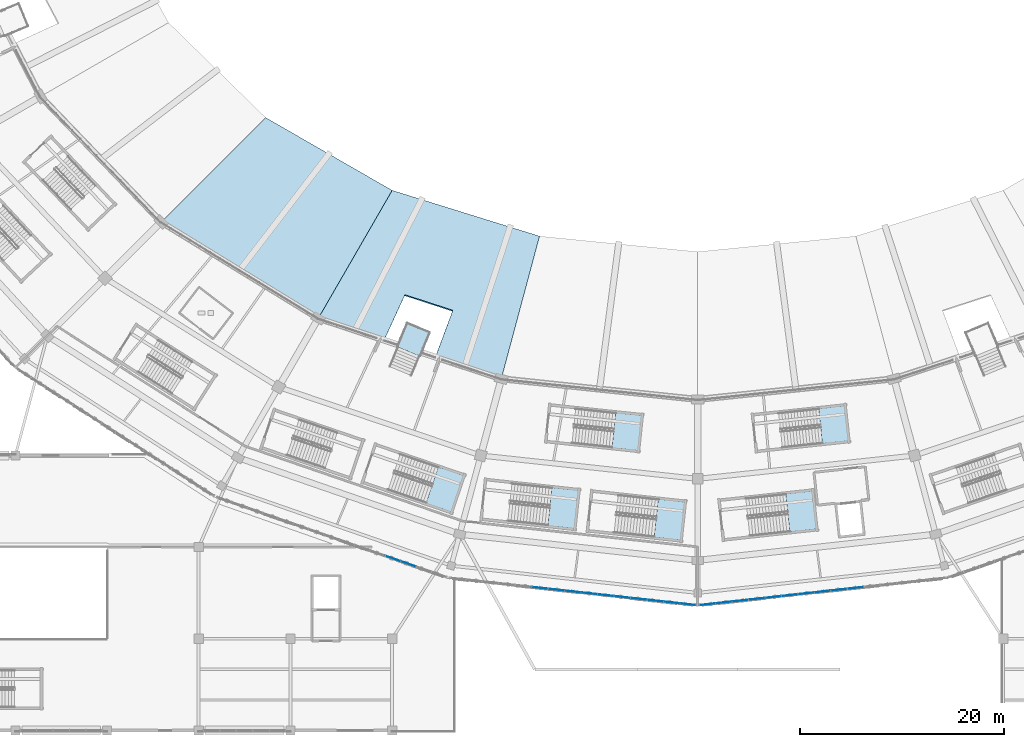
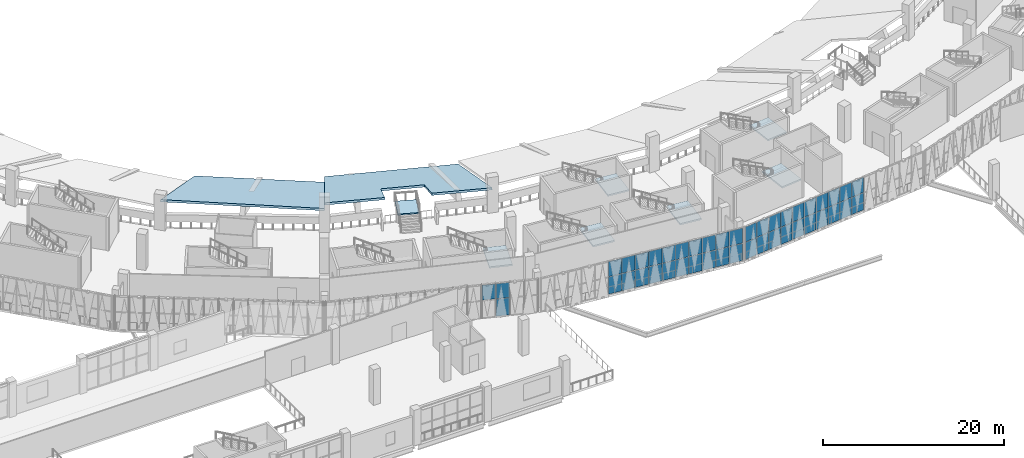
# One storey, part 75 of 183: 43 plates, 9 slabs, 10 elements without a shape of their own.
"""IFC4 building model written with IfcOpenShell, lengths in metres."""

import ifcopenshell
import ifcopenshell.guid

model = None  # the IFC model being written
_history = None  # IfcOwnerHistory: only IFC2X3 demands one
_inside = {}  # id of a spatial element -> (the spatial element, [elements in it])
_under = {}  # id of a project, library or spatial element -> (it, [spatial elements below it])
_declared = {}  # id of a project -> (the project, [libraries it declares])
_typed = {}  # id of a type object -> (the type object, [elements of that type])
_made_of = {}  # id of a material, layer set ... -> (it, [elements and type objects made of it])


def new_model(schema):
    """Start an empty IFC model of exactly this schema.

    Asked for "IFC4X3", IfcOpenShell would pick the latest addendum, in which some entities
    have other attributes; the version numbers below select the first issue.
    IFC2X3 requires an IfcOwnerHistory on every rooted entity: one is made here for all.
    """
    global model, _history
    if schema == "IFC4X3":
        model = ifcopenshell.file(schema_version=(4, 3, 0, 0))
    else:
        model = ifcopenshell.file(schema=schema)
    _inside.clear()
    _under.clear()
    _declared.clear()
    _typed.clear()
    _made_of.clear()
    _history = None
    if model.schema == "IFC2X3":
        org = make("IfcOrganization", Name="unknown")
        user = make(
            "IfcPersonAndOrganization",
            ThePerson=make("IfcPerson", FamilyName="unknown"),
            TheOrganization=org,
        )
        app = make(
            "IfcApplication",
            ApplicationDeveloper=org,
            Version="unknown",
            ApplicationFullName="unknown",
            ApplicationIdentifier="unknown",
        )
        _history = make(
            "IfcOwnerHistory",
            OwningUser=user,
            OwningApplication=app,
            ChangeAction="ADDED",
            CreationDate=0,
        )
    return model


def make(cls, **values):
    """One entity of the class cls with the attributes given. An attribute that is None is left unset."""
    return model.create_entity(
        cls, **{name: value for name, value in values.items() if value is not None}
    )


def rooted(cls, **values):
    """An entity with a GlobalId (a new one), such as an element, a storey or a relation."""
    return make(cls, GlobalId=ifcopenshell.guid.new(), OwnerHistory=_history, **values)


def si_unit(unit_type, name, prefix=None):
    """IfcSIUnit, for example si_unit("LENGTHUNIT", "METRE", prefix="MILLI")."""
    return make("IfcSIUnit", UnitType=unit_type, Prefix=prefix, Name=name)


def assignment(units):
    """IfcUnitAssignment: the units of a project."""
    return None if units is None else make("IfcUnitAssignment", Units=units)


def point(xyz):
    """IfcCartesianPoint."""
    return None if xyz is None else make("IfcCartesianPoint", Coordinates=xyz)


def direction(xyz):
    """IfcDirection."""
    return None if xyz is None else make("IfcDirection", DirectionRatios=xyz)


def frame(location, z_axis=None, x_axis=None):
    """IfcAxis2Placement3D, a coordinate frame: its origin and axes. An axis left out is left unset."""
    return make(
        "IfcAxis2Placement3D",
        Location=point(location),
        Axis=direction(z_axis),
        RefDirection=direction(x_axis),
    )


def frame_2d(location, x_axis=None):
    """IfcAxis2Placement2D, a coordinate frame in the plane: its origin and x axis."""
    return make(
        "IfcAxis2Placement2D", Location=point(location), RefDirection=direction(x_axis)
    )


def origin():
    """The frame at (0, 0, 0) with its axes left unset."""
    return frame((0.0, 0.0, 0.0))


def origin_2d():
    """The frame at (0, 0) in the plane with its x axis left unset."""
    return frame_2d((0.0, 0.0))


def place(relative_to, where):
    """IfcLocalPlacement: puts the frame where relative to a parent placement (None: the world)."""
    return make(
        "IfcLocalPlacement", PlacementRelTo=relative_to, RelativePlacement=where
    )


def context(
    kind, dimensions, precision=None, world=None, true_north=None, identifier=None
):
    """IfcGeometricRepresentationContext, for example the 3D "Model" context."""
    return make(
        "IfcGeometricRepresentationContext",
        ContextIdentifier=identifier,
        ContextType=kind,
        CoordinateSpaceDimension=dimensions,
        Precision=precision,
        WorldCoordinateSystem=world,
        TrueNorth=true_north,
    )


def subcontext(parent, identifier, kind, view, scale=None):
    """IfcGeometricRepresentationSubContext, for example "Body" below "Model"."""
    return make(
        "IfcGeometricRepresentationSubContext",
        ContextIdentifier=identifier,
        ContextType=kind,
        ParentContext=parent,
        TargetScale=scale,
        TargetView=view,
    )


def project(units=None, contexts=None):
    """IfcProject with its units and contexts."""
    return rooted(
        "IfcProject",
        Name="project",
        RepresentationContexts=contexts,
        UnitsInContext=assignment(units),
    )


def spatial(cls, under=None, at=None, **own):
    """A site, building, storey or space (cls), placed at a placement, below another one or the project."""
    s = rooted(cls, ObjectPlacement=at, **own)
    if under is not None:
        _under.setdefault(under.id(), (under, []))[1].append(s)
    return s


def polyline(points):
    """IfcPolyline through the points."""
    return make("IfcPolyline", Points=[point(p) for p in points])


def profile(cls, at=None, kind="AREA", **sizes):
    """A parametric profile (cls). Its sizes go by their IFC names, for example OverallWidth=200.0."""
    return make(cls, ProfileType=kind, Position=at, **sizes)


def rectangle(**sizes):
    """IfcRectangleProfileDef."""
    return profile("IfcRectangleProfileDef", **sizes)


def outline(outer, holes=None, kind="AREA"):
    """IfcArbitraryClosedProfileDef: a profile drawn as a closed curve; with holes, ...WithVoids."""
    if holes is None:
        return make("IfcArbitraryClosedProfileDef", ProfileType=kind, OuterCurve=outer)
    return make(
        "IfcArbitraryProfileDefWithVoids",
        ProfileType=kind,
        OuterCurve=outer,
        InnerCurves=holes,
    )


def extrude(swept, where, along, depth):
    """IfcExtrudedAreaSolid: the profile swept, set in the frame where, extruded along a direction by depth."""
    return make(
        "IfcExtrudedAreaSolid",
        SweptArea=swept,
        Position=where,
        ExtrudedDirection=direction(along),
        Depth=depth,
    )


def shape(context_of_items, identifier, shape_type, items):
    """IfcShapeRepresentation: the items that make up one representation, for example the "Body"."""
    return make(
        "IfcShapeRepresentation",
        ContextOfItems=context_of_items,
        RepresentationIdentifier=identifier,
        RepresentationType=shape_type,
        Items=items,
    )


def material(Name=None, Category=None):
    """IfcMaterial."""
    return make("IfcMaterial", Name=Name, Category=Category)


def layer(
    of_material, thickness, ventilated=None, Name=None, Category=None, Priority=None
):
    """IfcMaterialLayer: one layer of a wall or slab, of a material (None: an air gap)."""
    return make(
        "IfcMaterialLayer",
        Material=of_material,
        LayerThickness=thickness,
        IsVentilated=ventilated,
        Name=Name,
        Category=Category,
        Priority=Priority,
    )


def layer_set(layers, Name=None):
    """IfcMaterialLayerSet."""
    return make("IfcMaterialLayerSet", MaterialLayers=layers, LayerSetName=Name)


def made_of(thing, what):
    """Note that an element or type object is made of a material, layer set ...; save() writes the relation."""
    if what is not None:
        _made_of.setdefault(what.id(), (what, []))[1].append(thing)
    return thing


def type_object(cls, material=None, **own):
    """A type object (cls), such as IfcWallType, which elements share."""
    return made_of(rooted(cls, **own), material)


def element(
    cls,
    number,
    at=None,
    inside=None,
    cuts=None,
    type_object=None,
    material=None,
    context=None,
    identifier="Body",
    shape_type=None,
    held_by="IfcProductDefinitionShape",
    body=None,
    shapes=None,
    **own,
):
    """One element of the class cls, such as IfcWall. Its Tag is "e" and its number.

    at: its placement. inside: the storey or other place that contains it. cuts: it is an
    opening in that element (IfcRelVoidsElement). A single representation is given by context,
    identifier, shape_type and body (its items); several are given by shapes. held_by: the class
    of the entity that holds the representations. save() writes the other relations.
    """
    e = rooted(cls, Tag="e%d" % number, ObjectPlacement=at, **own)
    if body is not None:
        shapes = [shape(context, identifier, shape_type, body)]
    if shapes is not None:
        e.Representation = make(held_by, Representations=shapes)
    if inside is not None:
        _inside.setdefault(inside.id(), (inside, []))[1].append(e)
    if cuts is not None:
        rooted(
            "IfcRelVoidsElement", RelatingBuildingElement=cuts, RelatedOpeningElement=e
        )
    if type_object is not None:
        _typed.setdefault(type_object.id(), (type_object, []))[1].append(e)
    return made_of(e, material)


def aggregate(whole, parts):
    """IfcRelAggregates: a whole, such as a stair, and the parts it consists of."""
    return rooted("IfcRelAggregates", RelatingObject=whole, RelatedObjects=parts)


def save(model, path):
    """Write the relations noted so far, then the file.

    IfcRelAggregates (storeys below a building ...), IfcRelContainedInSpatialStructure (elements
    in a storey), IfcRelDefinesByType, IfcRelAssociatesMaterial and IfcRelDeclares: one each for
    every whole, place, type object, material and project.
    """
    for whole, parts in _under.values():
        aggregate(whole, parts)
    for where, things in _inside.values():
        rooted(
            "IfcRelContainedInSpatialStructure",
            RelatedElements=things,
            RelatingStructure=where,
        )
    for kind, things in _typed.values():
        rooted("IfcRelDefinesByType", RelatedObjects=things, RelatingType=kind)
    for what, things in _made_of.values():
        rooted("IfcRelAssociatesMaterial", RelatedObjects=things, RelatingMaterial=what)
    for by, libraries in _declared.values():
        rooted("IfcRelDeclares", RelatingContext=by, RelatedDefinitions=libraries)
    model.write(path)


model = new_model("IFC4")

# Units and contexts
model_context = context("Model", 3, precision=1e-05, world=origin(), true_north=direction((0.0, 1.0)))
body_context = subcontext(model_context, "Body", "Model", "MODEL_VIEW")
ifc_project = project(units=[si_unit("LENGTHUNIT", "METRE"), si_unit("AREAUNIT", "SQUARE_METRE"), si_unit("VOLUMEUNIT", "CUBIC_METRE"), si_unit("PLANEANGLEUNIT", "RADIAN"), si_unit("MASSUNIT", "GRAM", prefix="KILO")], contexts=[model_context])

# Site, building, storey
site_placement = place(None, origin())
site = spatial("IfcSite", under=ifc_project, at=site_placement, CompositionType="ELEMENT")
building_placement = place(site_placement, origin())
building = spatial("IfcBuilding", under=site, at=building_placement, Name="Zevraka Park Crest Stadium", CompositionType="ELEMENT")
storey_placement = place(building_placement, frame((0.0, 0.0, 5.39990234375)))
storey = spatial("IfcBuildingStorey", under=building, at=storey_placement, Name="L01", CompositionType="ELEMENT", Elevation=5.39990234375)

# Curtain wall, plates
ifc_material_1 = material(Name="Anodised architectural aluminium and laminated safety glass", Category="aluminium")
curtain_wall_type_1 = type_object("IfcCurtainWallType", Name="CW01", PredefinedType="NOTDEFINED", material=ifc_material_1)
curtain_wall_1_placement = place(storey_placement, origin())
curtain_wall_1 = element("IfcCurtainWall", 1, at=curtain_wall_1_placement, inside=storey, type_object=curtain_wall_type_1, Name="Unitised Ring Curtain Wall CW01 L01-17", PredefinedType="NOTDEFINED")
ifc_material_2 = material(Name="Solar-control laminated double glazing", Category="glass")
ifc_layer_1 = layer(ifc_material_2, 0.028076171875)
ifc_layer_set_1 = layer_set([ifc_layer_1], Name="Solar-control laminated double glazing")
plate_type_1 = type_object("IfcPlateType", Name="CP01", PredefinedType="CURTAIN_PANEL", material=ifc_layer_set_1)
plate_1_placement = place(storey_placement, frame((96.506591796875, 13.997314453125, 0.06005859375), z_axis=(0.0, 0.0, 1.0), x_axis=(0.993916668414, -0.110134718639, 0.0)))
plate_1 = element("IfcPlate", 2, at=plate_1_placement, type_object=plate_type_1, Name="CW01 panel 6.1", PredefinedType="CURTAIN_PANEL", context=body_context, shape_type="SweptSolid", body=[
    extrude(rectangle(XDim=1.567138671875, YDim=0.028076171875, at=origin_2d()), origin(), (0.0, 0.0, 1.0), 2.31005859375),
])
plate_2_placement = place(storey_placement, frame((96.506591796875, 13.997314453125, 2.43017578125), z_axis=(0.0, 0.0, 1.0), x_axis=(0.993916668414, -0.110134718639, 0.0)))
plate_2 = element("IfcPlate", 3, at=plate_2_placement, type_object=plate_type_1, Name="CW01 panel 6.2", PredefinedType="CURTAIN_PANEL", context=body_context, shape_type="SweptSolid", body=[
    extrude(rectangle(XDim=1.567138671875, YDim=0.028076171875, at=origin_2d()), origin(), (0.0, 0.0, 1.0), 2.030029296875),
])
plate_3_placement = place(storey_placement, frame((98.123779296875, 13.818115234375, 0.06005859375), z_axis=(0.0, 0.0, 1.0), x_axis=(0.993916668414, -0.110134718639, 0.0)))
plate_3 = element("IfcPlate", 4, at=plate_3_placement, type_object=plate_type_1, Name="CW01 panel 7.1", PredefinedType="CURTAIN_PANEL", context=body_context, shape_type="SweptSolid", body=[
    extrude(rectangle(XDim=1.567138671875, YDim=0.028076171875, at=origin_2d()), origin(), (0.0, 0.0, 1.0), 2.31005859375),
])
plate_4_placement = place(storey_placement, frame((98.123779296875, 13.818115234375, 2.43017578125), z_axis=(0.0, 0.0, 1.0), x_axis=(0.993916668414, -0.110134718639, 0.0)))
plate_4 = element("IfcPlate", 5, at=plate_4_placement, type_object=plate_type_1, Name="CW01 panel 7.2", PredefinedType="CURTAIN_PANEL", context=body_context, shape_type="SweptSolid", body=[
    extrude(rectangle(XDim=1.567138671875, YDim=0.028076171875, at=origin_2d()), origin(), (0.0, 0.0, 1.0), 2.030029296875),
])
plate_5_placement = place(storey_placement, frame((99.740966796875, 13.638916015625, 0.06005859375), z_axis=(0.0, 0.0, 1.0), x_axis=(0.993916668414, -0.110134718639, 0.0)))
plate_5 = element("IfcPlate", 6, at=plate_5_placement, type_object=plate_type_1, Name="CW01 panel 8.1", PredefinedType="CURTAIN_PANEL", context=body_context, shape_type="SweptSolid", body=[
    extrude(rectangle(XDim=1.567138671875, YDim=0.028076171875, at=origin_2d()), origin(), (0.0, 0.0, 1.0), 2.31005859375),
])
plate_6_placement = place(storey_placement, frame((99.740966796875, 13.638916015625, 2.43017578125), z_axis=(0.0, 0.0, 1.0), x_axis=(0.993916668414, -0.110134718639, 0.0)))
plate_6 = element("IfcPlate", 7, at=plate_6_placement, type_object=plate_type_1, Name="CW01 panel 8.2", PredefinedType="CURTAIN_PANEL", context=body_context, shape_type="SweptSolid", body=[
    extrude(rectangle(XDim=1.567138671875, YDim=0.028076171875, at=origin_2d()), origin(), (0.0, 0.0, 1.0), 2.030029296875),
])
plate_7_placement = place(storey_placement, frame((101.358154296875, 13.459716796875, 0.06005859375), z_axis=(0.0, 0.0, 1.0), x_axis=(0.993916668414, -0.110134718639, 0.0)))
plate_7 = element("IfcPlate", 8, at=plate_7_placement, type_object=plate_type_1, Name="CW01 panel 9.1", PredefinedType="CURTAIN_PANEL", context=body_context, shape_type="SweptSolid", body=[
    extrude(rectangle(XDim=1.567138671875, YDim=0.028076171875, at=origin_2d()), origin(), (0.0, 0.0, 1.0), 2.31005859375),
])
plate_8_placement = place(storey_placement, frame((101.358154296875, 13.459716796875, 2.43017578125), z_axis=(0.0, 0.0, 1.0), x_axis=(0.993916668414, -0.110134718639, 0.0)))
plate_8 = element("IfcPlate", 9, at=plate_8_placement, type_object=plate_type_1, Name="CW01 panel 9.2", PredefinedType="CURTAIN_PANEL", context=body_context, shape_type="SweptSolid", body=[
    extrude(rectangle(XDim=1.567138671875, YDim=0.028076171875, at=origin_2d()), origin(), (0.0, 0.0, 1.0), 2.030029296875),
])
plate_9_placement = place(storey_placement, frame((102.975341796875, 13.280517578125, 0.06005859375), z_axis=(0.0, 0.0, 1.0), x_axis=(0.993916668414, -0.110134718639, 0.0)))
plate_9 = element("IfcPlate", 10, at=plate_9_placement, type_object=plate_type_1, Name="CW01 panel 10.1", PredefinedType="CURTAIN_PANEL", context=body_context, shape_type="SweptSolid", body=[
    extrude(rectangle(XDim=1.567138671875, YDim=0.028076171875, at=origin_2d()), origin(), (0.0, 0.0, 1.0), 2.31005859375),
])
plate_10_placement = place(storey_placement, frame((102.975341796875, 13.280517578125, 2.43017578125), z_axis=(0.0, 0.0, 1.0), x_axis=(0.993916668414, -0.110134718639, 0.0)))
plate_10 = element("IfcPlate", 11, at=plate_10_placement, type_object=plate_type_1, Name="CW01 panel 10.2", PredefinedType="CURTAIN_PANEL", context=body_context, shape_type="SweptSolid", body=[
    extrude(rectangle(XDim=1.567138671875, YDim=0.028076171875, at=origin_2d()), origin(), (0.0, 0.0, 1.0), 2.030029296875),
])
plate_11_placement = place(storey_placement, frame((104.592529296875, 13.101318359375, 0.06005859375), z_axis=(0.0, 0.0, 1.0), x_axis=(0.993916668414, -0.110134718639, 0.0)))
plate_11 = element("IfcPlate", 12, at=plate_11_placement, type_object=plate_type_1, Name="CW01 panel 11.1", PredefinedType="CURTAIN_PANEL", context=body_context, shape_type="SweptSolid", body=[
    extrude(rectangle(XDim=1.567138671875, YDim=0.028076171875, at=origin_2d()), origin(), (0.0, 0.0, 1.0), 2.31005859375),
])
plate_12_placement = place(storey_placement, frame((104.592529296875, 13.101318359375, 2.43017578125), z_axis=(0.0, 0.0, 1.0), x_axis=(0.993916668414, -0.110134718639, 0.0)))
plate_12 = element("IfcPlate", 13, at=plate_12_placement, type_object=plate_type_1, Name="CW01 panel 11.2", PredefinedType="CURTAIN_PANEL", context=body_context, shape_type="SweptSolid", body=[
    extrude(rectangle(XDim=1.567138671875, YDim=0.028076171875, at=origin_2d()), origin(), (0.0, 0.0, 1.0), 2.030029296875),
])
plate_13_placement = place(storey_placement, frame((106.209716796875, 12.922119140625, 0.06005859375), z_axis=(0.0, 0.0, 1.0), x_axis=(0.993916668414, -0.110134718639, 0.0)))
plate_13 = element("IfcPlate", 14, at=plate_13_placement, type_object=plate_type_1, Name="CW01 panel 12.1", PredefinedType="CURTAIN_PANEL", context=body_context, shape_type="SweptSolid", body=[
    extrude(rectangle(XDim=1.567138671875, YDim=0.028076171875, at=origin_2d()), origin(), (0.0, 0.0, 1.0), 2.31005859375),
])
plate_14_placement = place(storey_placement, frame((106.209716796875, 12.922119140625, 2.43017578125), z_axis=(0.0, 0.0, 1.0), x_axis=(0.993916668414, -0.110134718639, 0.0)))
plate_14 = element("IfcPlate", 15, at=plate_14_placement, type_object=plate_type_1, Name="CW01 panel 12.2", PredefinedType="CURTAIN_PANEL", context=body_context, shape_type="SweptSolid", body=[
    extrude(rectangle(XDim=1.567138671875, YDim=0.028076171875, at=origin_2d()), origin(), (0.0, 0.0, 1.0), 2.030029296875),
])
plate_15_placement = place(storey_placement, frame((107.826904296875, 12.742919921875, 0.06005859375), z_axis=(0.0, 0.0, 1.0), x_axis=(0.993916668414, -0.110134718639, 0.0)))
plate_15 = element("IfcPlate", 16, at=plate_15_placement, type_object=plate_type_1, Name="CW01 panel 13.1", PredefinedType="CURTAIN_PANEL", context=body_context, shape_type="SweptSolid", body=[
    extrude(rectangle(XDim=1.567138671875, YDim=0.028076171875, at=origin_2d()), origin(), (0.0, 0.0, 1.0), 2.31005859375),
])
plate_16_placement = place(storey_placement, frame((107.826904296875, 12.742919921875, 2.43017578125), z_axis=(0.0, 0.0, 1.0), x_axis=(0.993916668414, -0.110134718639, 0.0)))
plate_16 = element("IfcPlate", 17, at=plate_16_placement, type_object=plate_type_1, Name="CW01 panel 13.2", PredefinedType="CURTAIN_PANEL", context=body_context, shape_type="SweptSolid", body=[
    extrude(rectangle(XDim=1.567138671875, YDim=0.028076171875, at=origin_2d()), origin(), (0.0, 0.0, 1.0), 2.030029296875),
])
plate_17_placement = place(storey_placement, frame((109.444091796875, 12.563720703125, 0.06005859375), z_axis=(0.0, 0.0, 1.0), x_axis=(0.993916668414, -0.110134718639, 0.0)))
plate_17 = element("IfcPlate", 18, at=plate_17_placement, type_object=plate_type_1, Name="CW01 panel 14.1", PredefinedType="CURTAIN_PANEL", context=body_context, shape_type="SweptSolid", body=[
    extrude(rectangle(XDim=1.567138671875, YDim=0.028076171875, at=origin_2d()), origin(), (0.0, 0.0, 1.0), 2.31005859375),
])
plate_18_placement = place(storey_placement, frame((109.444091796875, 12.563720703125, 2.43017578125), z_axis=(0.0, 0.0, 1.0), x_axis=(0.993916668414, -0.110134718639, 0.0)))
plate_18 = element("IfcPlate", 19, at=plate_18_placement, type_object=plate_type_1, Name="CW01 panel 14.2", PredefinedType="CURTAIN_PANEL", context=body_context, shape_type="SweptSolid", body=[
    extrude(rectangle(XDim=1.567138671875, YDim=0.028076171875, at=origin_2d()), origin(), (0.0, 0.0, 1.0), 2.030029296875),
])
plate_19_placement = place(storey_placement, frame((111.04638671875, 12.38623046875, 0.06005859375), z_axis=(0.0, 0.0, 1.0), x_axis=(0.993916668414, -0.110134718639, 0.0)))
plate_19 = element("IfcPlate", 20, at=plate_19_placement, type_object=plate_type_1, Name="CW01 panel 15.1", PredefinedType="CURTAIN_PANEL", context=body_context, shape_type="SweptSolid", body=[
    extrude(rectangle(XDim=1.537109375, YDim=0.028076171875, at=origin_2d()), origin(), (0.0, 0.0, 1.0), 2.31005859375),
])
plate_20_placement = place(storey_placement, frame((111.04638671875, 12.38623046875, 2.43017578125), z_axis=(0.0, 0.0, 1.0), x_axis=(0.993916668414, -0.110134718639, 0.0)))
plate_20 = element("IfcPlate", 21, at=plate_20_placement, type_object=plate_type_1, Name="CW01 panel 15.2", PredefinedType="CURTAIN_PANEL", context=body_context, shape_type="SweptSolid", body=[
    extrude(rectangle(XDim=1.537109375, YDim=0.028076171875, at=origin_2d()), origin(), (0.0, 0.0, 1.0), 2.030029296875),
])
aggregate(curtain_wall_1, [plate_1, plate_2, plate_3, plate_4, plate_5, plate_6, plate_7, plate_8, plate_9, plate_10, plate_11, plate_12, plate_13, plate_14, plate_15, plate_16, plate_17, plate_18, plate_19, plate_20])

curtain_wall_2_placement = place(storey_placement, origin())
curtain_wall_2 = element("IfcCurtainWall", 22, at=curtain_wall_2_placement, inside=storey, type_object=curtain_wall_type_1, Name="Unitised Ring Curtain Wall CW01 L01-18", PredefinedType="NOTDEFINED")
plate_21_placement = place(storey_placement, frame((112.95361328125, 12.38623046875, 0.06005859375), z_axis=(0.0, 0.0, 1.0), x_axis=(0.993916668414, 0.110134718639, 0.0)))
plate_21 = element("IfcPlate", 23, at=plate_21_placement, type_object=plate_type_1, Name="CW01 panel 1.1", PredefinedType="CURTAIN_PANEL", context=body_context, shape_type="SweptSolid", body=[
    extrude(rectangle(XDim=1.537109375, YDim=0.028076171875, at=origin_2d()), origin(), (0.0, 0.0, 1.0), 2.31005859375),
])
plate_22_placement = place(storey_placement, frame((112.95361328125, 12.38623046875, 2.43017578125), z_axis=(0.0, 0.0, 1.0), x_axis=(0.993916668414, 0.110134718639, 0.0)))
plate_22 = element("IfcPlate", 24, at=plate_22_placement, type_object=plate_type_1, Name="CW01 panel 1.2", PredefinedType="CURTAIN_PANEL", context=body_context, shape_type="SweptSolid", body=[
    extrude(rectangle(XDim=1.537109375, YDim=0.028076171875, at=origin_2d()), origin(), (0.0, 0.0, 1.0), 2.030029296875),
])
plate_23_placement = place(storey_placement, frame((114.555908203125, 12.563720703125, 0.06005859375), z_axis=(0.0, 0.0, 1.0), x_axis=(0.993916668414, 0.110134718639, 0.0)))
plate_23 = element("IfcPlate", 25, at=plate_23_placement, type_object=plate_type_1, Name="CW01 panel 2.1", PredefinedType="CURTAIN_PANEL", context=body_context, shape_type="SweptSolid", body=[
    extrude(rectangle(XDim=1.567138671875, YDim=0.028076171875, at=origin_2d()), origin(), (0.0, 0.0, 1.0), 2.31005859375),
])
plate_24_placement = place(storey_placement, frame((114.555908203125, 12.563720703125, 2.43017578125), z_axis=(0.0, 0.0, 1.0), x_axis=(0.993916668414, 0.110134718639, 0.0)))
plate_24 = element("IfcPlate", 26, at=plate_24_placement, type_object=plate_type_1, Name="CW01 panel 2.2", PredefinedType="CURTAIN_PANEL", context=body_context, shape_type="SweptSolid", body=[
    extrude(rectangle(XDim=1.567138671875, YDim=0.028076171875, at=origin_2d()), origin(), (0.0, 0.0, 1.0), 2.030029296875),
])
plate_25_placement = place(storey_placement, frame((116.173095703125, 12.742919921875, 0.06005859375), z_axis=(0.0, 0.0, 1.0), x_axis=(0.993916668414, 0.110134718639, 0.0)))
plate_25 = element("IfcPlate", 27, at=plate_25_placement, type_object=plate_type_1, Name="CW01 panel 3.1", PredefinedType="CURTAIN_PANEL", context=body_context, shape_type="SweptSolid", body=[
    extrude(rectangle(XDim=1.567138671875, YDim=0.028076171875, at=origin_2d()), origin(), (0.0, 0.0, 1.0), 2.31005859375),
])
plate_26_placement = place(storey_placement, frame((116.173095703125, 12.742919921875, 2.43017578125), z_axis=(0.0, 0.0, 1.0), x_axis=(0.993916668414, 0.110134718639, 0.0)))
plate_26 = element("IfcPlate", 28, at=plate_26_placement, type_object=plate_type_1, Name="CW01 panel 3.2", PredefinedType="CURTAIN_PANEL", context=body_context, shape_type="SweptSolid", body=[
    extrude(rectangle(XDim=1.567138671875, YDim=0.028076171875, at=origin_2d()), origin(), (0.0, 0.0, 1.0), 2.030029296875),
])
plate_27_placement = place(storey_placement, frame((117.790283203125, 12.922119140625, 0.06005859375), z_axis=(0.0, 0.0, 1.0), x_axis=(0.993916668414, 0.110134718639, 0.0)))
plate_27 = element("IfcPlate", 29, at=plate_27_placement, type_object=plate_type_1, Name="CW01 panel 4.1", PredefinedType="CURTAIN_PANEL", context=body_context, shape_type="SweptSolid", body=[
    extrude(rectangle(XDim=1.567138671875, YDim=0.028076171875, at=origin_2d()), origin(), (0.0, 0.0, 1.0), 2.31005859375),
])
plate_28_placement = place(storey_placement, frame((117.790283203125, 12.922119140625, 2.43017578125), z_axis=(0.0, 0.0, 1.0), x_axis=(0.993916668414, 0.110134718639, 0.0)))
plate_28 = element("IfcPlate", 30, at=plate_28_placement, type_object=plate_type_1, Name="CW01 panel 4.2", PredefinedType="CURTAIN_PANEL", context=body_context, shape_type="SweptSolid", body=[
    extrude(rectangle(XDim=1.567138671875, YDim=0.028076171875, at=origin_2d()), origin(), (0.0, 0.0, 1.0), 2.030029296875),
])
plate_29_placement = place(storey_placement, frame((119.407470703125, 13.101318359375, 0.06005859375), z_axis=(0.0, 0.0, 1.0), x_axis=(0.993916668414, 0.110134718639, 0.0)))
plate_29 = element("IfcPlate", 31, at=plate_29_placement, type_object=plate_type_1, Name="CW01 panel 5.1", PredefinedType="CURTAIN_PANEL", context=body_context, shape_type="SweptSolid", body=[
    extrude(rectangle(XDim=1.567138671875, YDim=0.028076171875, at=origin_2d()), origin(), (0.0, 0.0, 1.0), 2.31005859375),
])
plate_30_placement = place(storey_placement, frame((119.407470703125, 13.101318359375, 2.43017578125), z_axis=(0.0, 0.0, 1.0), x_axis=(0.993916668414, 0.110134718639, 0.0)))
plate_30 = element("IfcPlate", 32, at=plate_30_placement, type_object=plate_type_1, Name="CW01 panel 5.2", PredefinedType="CURTAIN_PANEL", context=body_context, shape_type="SweptSolid", body=[
    extrude(rectangle(XDim=1.567138671875, YDim=0.028076171875, at=origin_2d()), origin(), (0.0, 0.0, 1.0), 2.030029296875),
])
plate_31_placement = place(storey_placement, frame((121.024658203125, 13.280517578125, 0.06005859375), z_axis=(0.0, 0.0, 1.0), x_axis=(0.993916668414, 0.110134718639, 0.0)))
plate_31 = element("IfcPlate", 33, at=plate_31_placement, type_object=plate_type_1, Name="CW01 panel 6.1", PredefinedType="CURTAIN_PANEL", context=body_context, shape_type="SweptSolid", body=[
    extrude(rectangle(XDim=1.567138671875, YDim=0.028076171875, at=origin_2d()), origin(), (0.0, 0.0, 1.0), 2.31005859375),
])
plate_32_placement = place(storey_placement, frame((121.024658203125, 13.280517578125, 2.43017578125), z_axis=(0.0, 0.0, 1.0), x_axis=(0.993916668414, 0.110134718639, 0.0)))
plate_32 = element("IfcPlate", 34, at=plate_32_placement, type_object=plate_type_1, Name="CW01 panel 6.2", PredefinedType="CURTAIN_PANEL", context=body_context, shape_type="SweptSolid", body=[
    extrude(rectangle(XDim=1.567138671875, YDim=0.028076171875, at=origin_2d()), origin(), (0.0, 0.0, 1.0), 2.030029296875),
])
plate_33_placement = place(storey_placement, frame((122.641845703125, 13.459716796875, 0.06005859375), z_axis=(0.0, 0.0, 1.0), x_axis=(0.993916668414, 0.110134718639, 0.0)))
plate_33 = element("IfcPlate", 35, at=plate_33_placement, type_object=plate_type_1, Name="CW01 panel 7.1", PredefinedType="CURTAIN_PANEL", context=body_context, shape_type="SweptSolid", body=[
    extrude(rectangle(XDim=1.567138671875, YDim=0.028076171875, at=origin_2d()), origin(), (0.0, 0.0, 1.0), 2.31005859375),
])
plate_34_placement = place(storey_placement, frame((122.641845703125, 13.459716796875, 2.43017578125), z_axis=(0.0, 0.0, 1.0), x_axis=(0.993916668414, 0.110134718639, 0.0)))
plate_34 = element("IfcPlate", 36, at=plate_34_placement, type_object=plate_type_1, Name="CW01 panel 7.2", PredefinedType="CURTAIN_PANEL", context=body_context, shape_type="SweptSolid", body=[
    extrude(rectangle(XDim=1.567138671875, YDim=0.028076171875, at=origin_2d()), origin(), (0.0, 0.0, 1.0), 2.030029296875),
])
plate_35_placement = place(storey_placement, frame((124.259033203125, 13.638916015625, 0.06005859375), z_axis=(0.0, 0.0, 1.0), x_axis=(0.993916668414, 0.110134718639, 0.0)))
plate_35 = element("IfcPlate", 37, at=plate_35_placement, type_object=plate_type_1, Name="CW01 panel 8.1", PredefinedType="CURTAIN_PANEL", context=body_context, shape_type="SweptSolid", body=[
    extrude(rectangle(XDim=1.567138671875, YDim=0.028076171875, at=origin_2d()), origin(), (0.0, 0.0, 1.0), 2.31005859375),
])
plate_36_placement = place(storey_placement, frame((124.259033203125, 13.638916015625, 2.43017578125), z_axis=(0.0, 0.0, 1.0), x_axis=(0.993916668414, 0.110134718639, 0.0)))
plate_36 = element("IfcPlate", 38, at=plate_36_placement, type_object=plate_type_1, Name="CW01 panel 8.2", PredefinedType="CURTAIN_PANEL", context=body_context, shape_type="SweptSolid", body=[
    extrude(rectangle(XDim=1.567138671875, YDim=0.028076171875, at=origin_2d()), origin(), (0.0, 0.0, 1.0), 2.030029296875),
])
plate_37_placement = place(storey_placement, frame((125.876220703125, 13.818115234375, 0.06005859375), z_axis=(0.0, 0.0, 1.0), x_axis=(0.993916668414, 0.110134718639, 0.0)))
plate_37 = element("IfcPlate", 39, at=plate_37_placement, type_object=plate_type_1, Name="CW01 panel 9.1", PredefinedType="CURTAIN_PANEL", context=body_context, shape_type="SweptSolid", body=[
    extrude(rectangle(XDim=1.567138671875, YDim=0.028076171875, at=origin_2d()), origin(), (0.0, 0.0, 1.0), 2.31005859375),
])
plate_38_placement = place(storey_placement, frame((125.876220703125, 13.818115234375, 2.43017578125), z_axis=(0.0, 0.0, 1.0), x_axis=(0.993916668414, 0.110134718639, 0.0)))
plate_38 = element("IfcPlate", 40, at=plate_38_placement, type_object=plate_type_1, Name="CW01 panel 9.2", PredefinedType="CURTAIN_PANEL", context=body_context, shape_type="SweptSolid", body=[
    extrude(rectangle(XDim=1.567138671875, YDim=0.028076171875, at=origin_2d()), origin(), (0.0, 0.0, 1.0), 2.030029296875),
])
plate_39_placement = place(storey_placement, frame((127.493408203125, 13.997314453125, 0.06005859375), z_axis=(0.0, 0.0, 1.0), x_axis=(0.993916668414, 0.110134718639, 0.0)))
plate_39 = element("IfcPlate", 41, at=plate_39_placement, type_object=plate_type_1, Name="CW01 panel 10.1", PredefinedType="CURTAIN_PANEL", context=body_context, shape_type="SweptSolid", body=[
    extrude(rectangle(XDim=1.567138671875, YDim=0.028076171875, at=origin_2d()), origin(), (0.0, 0.0, 1.0), 2.31005859375),
])
plate_40_placement = place(storey_placement, frame((127.493408203125, 13.997314453125, 2.43017578125), z_axis=(0.0, 0.0, 1.0), x_axis=(0.993916668414, 0.110134718639, 0.0)))
plate_40 = element("IfcPlate", 42, at=plate_40_placement, type_object=plate_type_1, Name="CW01 panel 10.2", PredefinedType="CURTAIN_PANEL", context=body_context, shape_type="SweptSolid", body=[
    extrude(rectangle(XDim=1.567138671875, YDim=0.028076171875, at=origin_2d()), origin(), (0.0, 0.0, 1.0), 2.030029296875),
])
aggregate(curtain_wall_2, [plate_21, plate_22, plate_23, plate_24, plate_25, plate_26, plate_27, plate_28, plate_29, plate_30, plate_31, plate_32, plate_33, plate_34, plate_35, plate_36, plate_37, plate_38, plate_39, plate_40])

ifc_material_3 = material(Name="Anodised architectural aluminium and laminated safety glass", Category="aluminium")
curtain_wall_type_2 = type_object("IfcCurtainWallType", Name="CW02", PredefinedType="NOTDEFINED", material=ifc_material_3)
curtain_wall_3_placement = place(storey_placement, origin())
curtain_wall_3 = element("IfcCurtainWall", 43, at=curtain_wall_3_placement, inside=storey, type_object=curtain_wall_type_2, Name="Unitised Ring Curtain Wall CW02 L01-16", PredefinedType="NOTDEFINED")
ifc_material_4 = material(Name="Solar-control laminated double glazing", Category="glass")
ifc_layer_2 = layer(ifc_material_4, 0.028076171875)
ifc_layer_set_2 = layer_set([ifc_layer_2], Name="Solar-control laminated double glazing")
plate_type_2 = type_object("IfcPlateType", Name="CP02", PredefinedType="CURTAIN_PANEL", material=ifc_layer_set_2)
plate_41_placement = place(storey_placement, frame((82.0849609375, 16.87939453125, 2.4326171875), z_axis=(0.0, 0.0, 1.0), x_axis=(0.944256979565, -0.329209289879, 0.0)))
plate_41 = element("IfcPlate", 44, at=plate_41_placement, type_object=plate_type_2, Name="CW02 panel 12.2", PredefinedType="CURTAIN_PANEL", context=body_context, shape_type="SweptSolid", body=[
    extrude(rectangle(XDim=1.530517578125, YDim=0.028076171875, at=origin_2d()), origin(), (0.0, 0.0, 1.0), 2.0224609375),
])
plate_42_placement = place(storey_placement, frame((83.591552734375, 16.354248046875, 0.06494140625), z_axis=(0.0, 0.0, 1.0), x_axis=(0.944256979565, -0.329209289879, 0.0)))
plate_42 = element("IfcPlate", 45, at=plate_42_placement, type_object=plate_type_2, Name="CW02 panel 13.1", PredefinedType="CURTAIN_PANEL", context=body_context, shape_type="SweptSolid", body=[
    extrude(rectangle(XDim=1.530517578125, YDim=0.028076171875, at=origin_2d()), origin(), (0.0, 0.0, 1.0), 2.302490234375),
])
plate_43_placement = place(storey_placement, frame((83.591552734375, 16.354248046875, 2.4326171875), z_axis=(0.0, 0.0, 1.0), x_axis=(0.944256979565, -0.329209289879, 0.0)))
plate_43 = element("IfcPlate", 46, at=plate_43_placement, type_object=plate_type_2, Name="CW02 panel 13.2", PredefinedType="CURTAIN_PANEL", context=body_context, shape_type="SweptSolid", body=[
    extrude(rectangle(XDim=1.530517578125, YDim=0.028076171875, at=origin_2d()), origin(), (0.0, 0.0, 1.0), 2.0224609375),
])
aggregate(curtain_wall_3, [plate_41, plate_42, plate_43])

# Stair, slab
ifc_material_5 = material(Name="Concrete C35/45", Category="concrete")
stair_type_1 = type_object("IfcStairType", Name="STA2", PredefinedType="HALF_TURN_STAIR", material=ifc_material_5)
stair_1_placement = place(storey_placement, origin())
stair_1 = element("IfcStair", 47, at=stair_1_placement, inside=storey, type_object=stair_type_1, Name="L01 Protected Concourse Exit Stair ST18", PredefinedType="HALF_TURN_STAIR")
ifc_material_6 = material(Name="Concrete C35/45", Category="concrete")
ifc_layer_3 = layer(ifc_material_6, 0.199951171875)
ifc_layer_set_3 = layer_set([ifc_layer_3], Name="Concrete C35/45")
slab_type_1 = type_object("IfcSlabType", Name="LS01", PredefinedType="LANDING", material=ifc_layer_set_3)
slab_1_placement = place(storey_placement, frame((0.0, 0.0, 2.2001953125)))
slab_1 = element("IfcSlab", 48, at=slab_1_placement, type_object=slab_type_1, Name="ST18 landing 1", PredefinedType="LANDING", context=body_context, shape_type="SweptSolid", body=[
    extrude(outline(polyline([(97.274169921875, 20.112060546875), (99.868896484375, 19.82958984375), (100.275634765625, 23.567626953125), (97.68115234375, 23.85009765625), (97.274169921875, 20.112060546875)])), origin(), (0.0, 0.0, 1.0), 0.199951171875),
])
aggregate(stair_1, [slab_1])

stair_2_placement = place(storey_placement, origin())
stair_2 = element("IfcStair", 49, at=stair_2_placement, inside=storey, type_object=stair_type_1, Name="L01 Protected Concourse Exit Stair ST19", PredefinedType="HALF_TURN_STAIR")
slab_2_placement = place(storey_placement, frame((0.0, 0.0, 2.2001953125)))
slab_2 = element("IfcSlab", 50, at=slab_2_placement, type_object=slab_type_1, Name="ST19 landing 1", PredefinedType="LANDING", context=body_context, shape_type="SweptSolid", body=[
    extrude(outline(polyline([(121.0390625, 19.492919921875), (123.6337890625, 19.775390625), (123.22705078125, 23.51318359375), (120.63232421875, 23.230712890625), (121.0390625, 19.492919921875)])), origin(), (0.0, 0.0, 1.0), 0.199951171875),
])
aggregate(stair_2, [slab_2])

stair_3_placement = place(storey_placement, origin())
stair_3 = element("IfcStair", 51, at=stair_3_placement, inside=storey, type_object=stair_type_1, Name="L01 Protected Paired Concourse Exit Stair ST29", PredefinedType="HALF_TURN_STAIR")
slab_3_placement = place(storey_placement, frame((0.0, 0.0, 2.2001953125)))
slab_3 = element("IfcSlab", 52, at=slab_3_placement, type_object=slab_type_1, Name="ST29 landing 1", PredefinedType="LANDING", context=body_context, shape_type="SweptSolid", body=[
    extrude(outline(polyline([(85.312744140625, 22.316650390625), (87.781982421875, 21.470947265625), (89.0, 25.0283203125), (86.53076171875, 25.873779296875), (85.312744140625, 22.316650390625)])), origin(), (0.0, 0.0, 1.0), 0.199951171875),
])
aggregate(stair_3, [slab_3])

stair_4_placement = place(storey_placement, origin())
stair_4 = element("IfcStair", 53, at=stair_4_placement, inside=storey, type_object=stair_type_1, Name="L01 Protected Paired Concourse Exit Stair ST30", PredefinedType="HALF_TURN_STAIR")
slab_4_placement = place(storey_placement, frame((0.0, 0.0, 2.2001953125)))
slab_4 = element("IfcSlab", 54, at=slab_4_placement, type_object=slab_type_1, Name="ST30 landing 1", PredefinedType="LANDING", context=body_context, shape_type="SweptSolid", body=[
    extrude(outline(polyline([(107.712158203125, 18.97607421875), (110.306884765625, 18.693603515625), (110.713623046875, 22.431640625), (108.119140625, 22.714111328125), (107.712158203125, 18.97607421875)])), origin(), (0.0, 0.0, 1.0), 0.199951171875),
])
aggregate(stair_4, [slab_4])

ifc_material_7 = material(Name="Concrete C35/45", Category="concrete")
stair_type_2 = type_object("IfcStairType", Name="STB2", PredefinedType="HALF_TURN_STAIR", material=ifc_material_7)
stair_5_placement = place(storey_placement, origin())
stair_5 = element("IfcStair", 55, at=stair_5_placement, inside=storey, type_object=stair_type_2, Name="L01 Protected Concourse Relief Stair ST41", PredefinedType="HALF_TURN_STAIR")
slab_5_placement = place(storey_placement, frame((0.0, 0.0, 2.2001953125)))
slab_5 = element("IfcSlab", 56, at=slab_5_placement, type_object=slab_type_1, Name="ST41 landing 1", PredefinedType="LANDING", context=body_context, shape_type="SweptSolid", body=[
    extrude(outline(polyline([(103.5751953125, 27.756591796875), (106.12060546875, 27.485595703125), (106.487060546875, 30.92626953125), (103.94140625, 31.197265625), (103.5751953125, 27.756591796875)])), origin(), (0.0, 0.0, 1.0), 0.199951171875),
])
aggregate(stair_5, [slab_5])

stair_6_placement = place(storey_placement, origin())
stair_6 = element("IfcStair", 57, at=stair_6_placement, inside=storey, type_object=stair_type_2, Name="L01 Protected Concourse Relief Stair ST42", PredefinedType="HALF_TURN_STAIR")
slab_6_placement = place(storey_placement, frame((0.0, 0.0, 2.2001953125)))
slab_6 = element("IfcSlab", 58, at=slab_6_placement, type_object=slab_type_1, Name="ST42 landing 1", PredefinedType="LANDING", context=body_context, shape_type="SweptSolid", body=[
    extrude(outline(polyline([(124.233154296875, 28.162353515625), (126.77880859375, 28.433349609375), (126.412353515625, 31.8740234375), (123.866943359375, 31.60302734375), (124.233154296875, 28.162353515625)])), origin(), (0.0, 0.0, 1.0), 0.199951171875),
])
aggregate(stair_6, [slab_6])

ifc_material_8 = material(Name="Concrete C35/45", Category="concrete")
stair_type_3 = type_object("IfcStairType", Name="VST1", PredefinedType="STRAIGHT_RUN_STAIR", material=ifc_material_8)
stair_7_placement = place(storey_placement, origin())
stair_7 = element("IfcStair", 59, at=stair_7_placement, inside=storey, type_object=stair_type_3, Name="Vomitory Stair VS-06", PredefinedType="STRAIGHT_RUN_STAIR")
ifc_material_9 = material(Name="Concrete C35/45", Category="concrete")
ifc_layer_4 = layer(ifc_material_9, 0.179931640625)
ifc_layer_set_4 = layer_set([ifc_layer_4], Name="Concrete C35/45")
slab_type_2 = type_object("IfcSlabType", Name="LS02", PredefinedType="LANDING", material=ifc_layer_set_4)
slab_7_placement = place(storey_placement, frame((0.0, 0.0, 1.02001953125)))
slab_7 = element("IfcSlab", 60, at=slab_7_placement, type_object=slab_type_2, Name="VST1 landing 1", PredefinedType="LANDING", context=body_context, shape_type="SweptSolid", body=[
    extrude(outline(polyline([(84.718994140625, 36.739990234375), (85.68505859375, 39.072998046875), (83.468017578125, 39.990966796875), (82.5009765625, 37.657958984375), (84.718994140625, 36.739990234375)])), origin(), (0.0, 0.0, 1.0), 0.18017578125),
])
aggregate(stair_7, [slab_7])

# Slabs
ifc_material_10 = material(Name="Concrete C35/45", Category="concrete")
ifc_layer_5 = layer(ifc_material_10, 0.25)
ifc_layer_set_5 = layer_set([ifc_layer_5], Name="Concrete C35/45")
slab_type_3 = type_object("IfcSlabType", Name="STL1", PredefinedType="USERDEFINED", material=ifc_layer_set_5)
slab_8_placement = place(storey_placement, frame((69.573974609375, 60.179931640625, -2.765869140625), z_axis=(0.253986817766, 0.331008638515, 0.90880359684), x_axis=(0.865142273131, -0.497870353096, -0.060447983836)))
element("IfcSlab", 61, at=slab_8_placement, inside=storey, type_object=slab_type_3, Name="Lower Tier Raked Seating Slab 15", ObjectType="SEATING TIER", PredefinedType="USERDEFINED", context=body_context, shape_type="SweptSolid", body=[
    extrude(outline(polyline([(0.0, 0.0), (14.362969225646921, 2.7755575615628914e-16), (13.944033552955927, -15.926528025140566), (-4.164561010938172, -15.377243978186552), (0.0, 0.0)])), origin(), (0.0, 0.0, -1.0), 0.25),
])
slab_9_placement = place(storey_placement, frame((82.0, 53.029052734375, -2.88232421875), z_axis=(0.159657844847, 0.38546840935, 0.908803321941), x_axis=(0.954130821323, -0.296445845259, -0.041883608131)))
element("IfcSlab", 62, at=slab_9_placement, inside=storey, type_object=slab_type_3, Name="Lower Tier Raked Seating Slab 16", ObjectType="SEATING TIER", PredefinedType="USERDEFINED", context=body_context, shape_type="SweptSolid", body=[
    extrude(outline(polyline([(0.0, 0.0), (15.166631837628906, -3.885780586188048e-16), (15.461399095155633, -15.928583011748259), (8.646120622541984, -15.791827755735076), (9.006856531920137, -10.422296521120057), (4.063309641911404, -10.352900012660008), (3.344182079204482, -15.686176936828822), (-3.471086167918901, -15.549320333844259), (0.0, 0.0)])), origin(), (0.0, 0.0, -1.0), 0.25),
])

save(model, "model.ifc")
